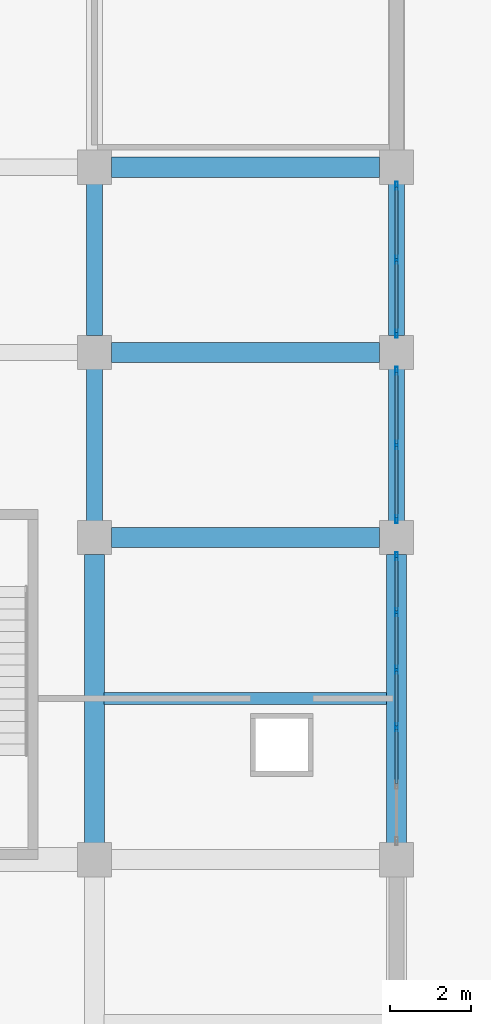
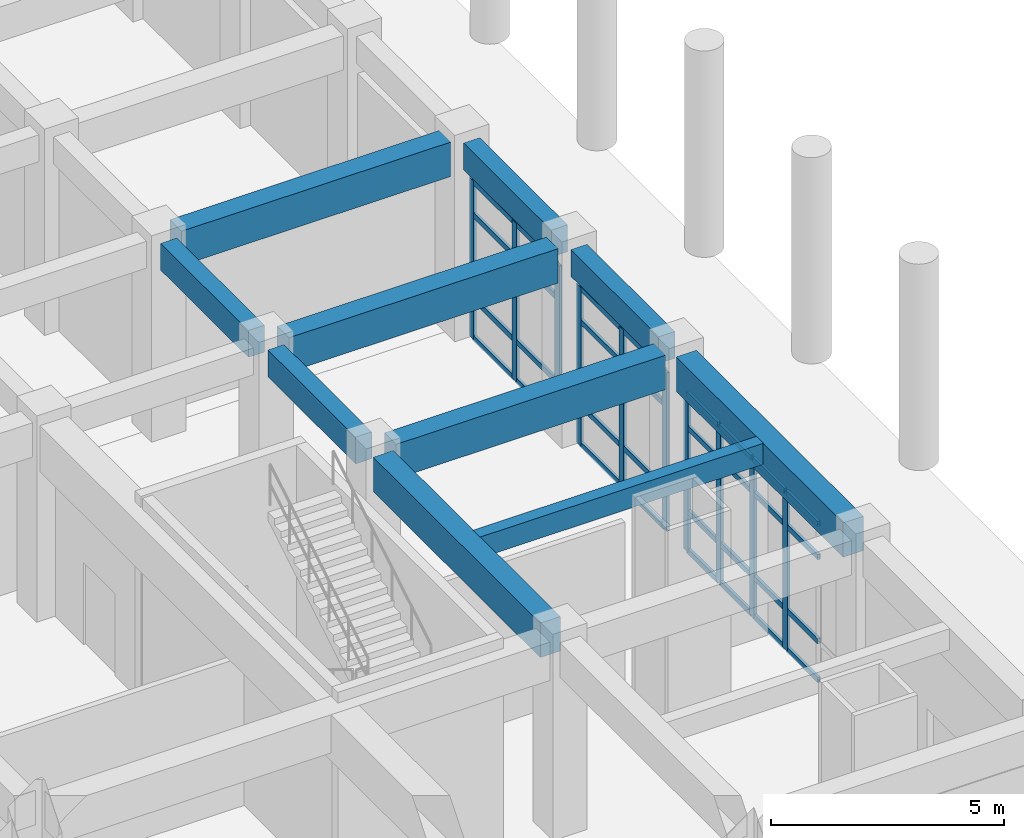
# One storey, part 38 of 84: 42 members, 10 beams, 3 elements without a shape of their own.
"""IFC4 building model written with IfcOpenShell, lengths in metres."""

from ifc_helpers import new_model, si_unit, direction, frame, origin, origin_2d, place, context, subcontext, project, spatial, rectangle, hollow_rectangle, extrude, material, layer, layer_set, material_profile, profile_set, type_object, element, aggregate, save


model = new_model("IFC4")

# Units and contexts
model_context = context("Model", 3, precision=1e-05, world=origin(), true_north=direction((0.0, 1.0)))
body_context = subcontext(model_context, "Body", "Model", "MODEL_VIEW")
ifc_project = project(units=[si_unit("LENGTHUNIT", "METRE"), si_unit("AREAUNIT", "SQUARE_METRE"), si_unit("VOLUMEUNIT", "CUBIC_METRE"), si_unit("PLANEANGLEUNIT", "RADIAN"), si_unit("MASSUNIT", "GRAM", prefix="KILO")], contexts=[model_context])

# Site, building, storey
site_placement = place(None, origin())
site = spatial("IfcSite", under=ifc_project, at=site_placement, CompositionType="ELEMENT")
building_placement = place(site_placement, origin())
building = spatial("IfcBuilding", under=site, at=building_placement, Name="Muzn Square Opera House", CompositionType="ELEMENT")
storey_placement = place(building_placement, origin())
storey = spatial("IfcBuildingStorey", under=building, at=storey_placement, Name="L00", CompositionType="ELEMENT", Elevation=0.0)

# Curtain wall, members
ifc_material_1 = material(Name="Low-E laminated acoustic double glazing", Category="glass")
ifc_layer_1 = layer(ifc_material_1, 0.159912109375, Name="Low-E laminated acoustic double glazing", Category="glass")
ifc_layer_set_1 = layer_set([ifc_layer_1], Name="Low-E laminated acoustic double glazing")
curtain_wall_type_1 = type_object("IfcCurtainWallType", Name="Glazed Curtain Wall EastBlvd 7150x4150", PredefinedType="USERDEFINED", material=ifc_layer_set_1)
curtain_wall_1_placement = place(storey_placement, origin())
curtain_wall_1 = element("IfcCurtainWall", 1, at=curtain_wall_1_placement, inside=storey, type_object=curtain_wall_type_1, Name="Glazed Curtain Wall CW-L00-105", ObjectType="GLAZED CURTAIN WALL", PredefinedType="USERDEFINED")
ifc_material_2 = material(Name="Anodised bronze aluminium 6063-T6", Category="metal")
ifc_material_profile_1 = material_profile(ifc_material_2, hollow_rectangle(XDim=0.070068359375, YDim=0.199951171875, WallThickness=0.0048828125, at=origin_2d()), Name="ALU 200x70x5", Category="metal")
ifc_profile_set_1 = profile_set([ifc_material_profile_1], Name="Anodised bronze aluminium 6063-T6")
member_type_1 = type_object("IfcMemberType", Name="Curtain Wall Mullion 200x70", PredefinedType="MULLION", material=ifc_profile_set_1)
member_1_placement = place(storey_placement, frame((170.0, 17.284912109375, 0.0), z_axis=(0.0, 0.0, 1.0), x_axis=(-1.0, 0.0, 0.0)))
member_1 = element("IfcMember", 2, at=member_1_placement, type_object=member_type_1, Name="CW-EBL-71x41 mullion 3", PredefinedType="MULLION", context=body_context, shape_type="SweptSolid", body=[
    extrude(hollow_rectangle(XDim=0.070068359375, YDim=0.199951171875, WallThickness=0.0048828125, at=origin_2d()), origin(), (0.0, 0.0, 1.0), 4.14990234375),
])
member_2_placement = place(storey_placement, frame((170.0, 18.715087890625, 0.0), z_axis=(0.0, 0.0, 1.0), x_axis=(-1.0, 0.0, 0.0)))
member_2 = element("IfcMember", 3, at=member_2_placement, type_object=member_type_1, Name="CW-EBL-71x41 mullion 4", PredefinedType="MULLION", context=body_context, shape_type="SweptSolid", body=[
    extrude(hollow_rectangle(XDim=0.070068359375, YDim=0.199951171875, WallThickness=0.0048828125, at=origin_2d()), origin(), (0.0, 0.0, 1.0), 4.14990234375),
])
member_3_placement = place(storey_placement, frame((170.0, 20.14501953125, 0.0), z_axis=(0.0, 0.0, 1.0), x_axis=(-1.0, 0.0, 0.0)))
member_3 = element("IfcMember", 4, at=member_3_placement, type_object=member_type_1, Name="CW-EBL-71x41 mullion 5", PredefinedType="MULLION", context=body_context, shape_type="SweptSolid", body=[
    extrude(hollow_rectangle(XDim=0.070068359375, YDim=0.199951171875, WallThickness=0.0048828125, at=origin_2d()), origin(), (0.0, 0.0, 1.0), 4.14990234375),
])
member_4_placement = place(storey_placement, frame((170.0, 21.5400390625, 0.0), z_axis=(0.0, 0.0, 1.0), x_axis=(-1.0, 0.0, 0.0)))
member_4 = element("IfcMember", 5, at=member_4_placement, type_object=member_type_1, Name="CW-EBL-71x41 mullion 6", PredefinedType="MULLION", context=body_context, shape_type="SweptSolid", body=[
    extrude(hollow_rectangle(XDim=0.070068359375, YDim=0.199951171875, WallThickness=0.0048828125, at=origin_2d()), origin(), (0.0, 0.0, 1.0), 4.14990234375),
])

ifc_layer_2 = layer(ifc_material_1, 0.159912109375, Name="Low-E laminated acoustic double glazing", Category="glass")
ifc_layer_set_2 = layer_set([ifc_layer_2], Name="Low-E laminated acoustic double glazing")
curtain_wall_type_2 = type_object("IfcCurtainWallType", Name="Glazed Curtain Wall EastBlvd 3750x4150", PredefinedType="USERDEFINED", material=ifc_layer_set_2)
curtain_wall_2_placement = place(storey_placement, origin())
curtain_wall_2 = element("IfcCurtainWall", 6, at=curtain_wall_2_placement, inside=storey, type_object=curtain_wall_type_2, Name="Glazed Curtain Wall CW-L00-106", ObjectType="GLAZED CURTAIN WALL", PredefinedType="USERDEFINED")
member_5_placement = place(storey_placement, frame((170.0, 22.4599609375, 0.0), z_axis=(0.0, 0.0, 1.0), x_axis=(-1.0, 0.0, 0.0)))
member_5 = element("IfcMember", 7, at=member_5_placement, type_object=member_type_1, Name="CW-EBL-37x41 mullion 1", PredefinedType="MULLION", context=body_context, shape_type="SweptSolid", body=[
    extrude(hollow_rectangle(XDim=0.070068359375, YDim=0.199951171875, WallThickness=0.0048828125, at=origin_2d()), origin(), (0.0, 0.0, 1.0), 4.14990234375),
])
member_6_placement = place(storey_placement, frame((170.0, 24.300048828125, 0.0), z_axis=(0.0, 0.0, 1.0), x_axis=(-1.0, 0.0, 0.0)))
member_6 = element("IfcMember", 8, at=member_6_placement, type_object=member_type_1, Name="CW-EBL-37x41 mullion 2", PredefinedType="MULLION", context=body_context, shape_type="SweptSolid", body=[
    extrude(hollow_rectangle(XDim=0.070068359375, YDim=0.199951171875, WallThickness=0.0048828125, at=origin_2d()), origin(), (0.0, 0.0, 1.0), 4.14990234375),
])
member_7_placement = place(storey_placement, frame((170.0, 26.139892578125, 0.0), z_axis=(0.0, 0.0, 1.0), x_axis=(-1.0, 0.0, 0.0)))
member_7 = element("IfcMember", 9, at=member_7_placement, type_object=member_type_1, Name="CW-EBL-37x41 mullion 3", PredefinedType="MULLION", context=body_context, shape_type="SweptSolid", body=[
    extrude(hollow_rectangle(XDim=0.070068359375, YDim=0.199951171875, WallThickness=0.0048828125, at=origin_2d()), origin(), (0.0, 0.0, 1.0), 4.14990234375),
])

curtain_wall_3_placement = place(storey_placement, origin())
curtain_wall_3 = element("IfcCurtainWall", 10, at=curtain_wall_3_placement, inside=storey, type_object=curtain_wall_type_2, Name="Glazed Curtain Wall CW-L00-107", ObjectType="GLAZED CURTAIN WALL", PredefinedType="USERDEFINED")
member_8_placement = place(storey_placement, frame((170.0, 27.06005859375, 0.0), z_axis=(0.0, 0.0, 1.0), x_axis=(-1.0, 0.0, 0.0)))
member_8 = element("IfcMember", 11, at=member_8_placement, type_object=member_type_1, Name="CW-EBL-37x41 mullion 1", PredefinedType="MULLION", context=body_context, shape_type="SweptSolid", body=[
    extrude(hollow_rectangle(XDim=0.070068359375, YDim=0.199951171875, WallThickness=0.0048828125, at=origin_2d()), origin(), (0.0, 0.0, 1.0), 4.14990234375),
])
member_9_placement = place(storey_placement, frame((170.0, 28.89990234375, 0.0), z_axis=(0.0, 0.0, 1.0), x_axis=(-1.0, 0.0, 0.0)))
member_9 = element("IfcMember", 12, at=member_9_placement, type_object=member_type_1, Name="CW-EBL-37x41 mullion 2", PredefinedType="MULLION", context=body_context, shape_type="SweptSolid", body=[
    extrude(hollow_rectangle(XDim=0.070068359375, YDim=0.199951171875, WallThickness=0.0048828125, at=origin_2d()), origin(), (0.0, 0.0, 1.0), 4.14990234375),
])
member_10_placement = place(storey_placement, frame((170.0, 30.739990234375, 0.0), z_axis=(0.0, 0.0, 1.0), x_axis=(-1.0, 0.0, 0.0)))
member_10 = element("IfcMember", 13, at=member_10_placement, type_object=member_type_1, Name="CW-EBL-37x41 mullion 3", PredefinedType="MULLION", context=body_context, shape_type="SweptSolid", body=[
    extrude(hollow_rectangle(XDim=0.070068359375, YDim=0.199951171875, WallThickness=0.0048828125, at=origin_2d()), origin(), (0.0, 0.0, 1.0), 4.14990234375),
])

# Member
ifc_material_profile_2 = material_profile(ifc_material_2, hollow_rectangle(XDim=0.070068359375, YDim=0.139892578125, WallThickness=0.00390625, at=origin_2d()), Name="ALU 140x70x4", Category="metal")
ifc_profile_set_2 = profile_set([ifc_material_profile_2], Name="Anodised bronze aluminium 6063-T6")
member_type_2 = type_object("IfcMemberType", Name="Curtain Wall Transom 140x70", PredefinedType="USERDEFINED", material=ifc_profile_set_2)
member_11_placement = place(storey_placement, frame((170.0, 15.889892578125, 0.034912109375), z_axis=(0.0, 1.0, 0.0), x_axis=(-1.0, 0.0, 0.0)))
member_11 = element("IfcMember", 14, at=member_11_placement, type_object=member_type_2, Name="CW-EBL-71x41 transom 2.1", ObjectType="TRANSOM", PredefinedType="USERDEFINED", context=body_context, shape_type="SweptSolid", body=[
    extrude(hollow_rectangle(XDim=0.070068359375, YDim=0.139892578125, WallThickness=0.00390625, at=origin_2d()), origin(), (0.0, 0.0, 1.0), 1.360107421875),
])

member_12_placement = place(storey_placement, frame((170.0, 15.889892578125, 1.050048828125), z_axis=(0.0, 1.0, 0.0), x_axis=(-1.0, 0.0, 0.0)))
member_12 = element("IfcMember", 15, at=member_12_placement, type_object=member_type_2, Name="CW-EBL-71x41 transom 2.2", ObjectType="TRANSOM", PredefinedType="USERDEFINED", context=body_context, shape_type="SweptSolid", body=[
    extrude(hollow_rectangle(XDim=0.070068359375, YDim=0.139892578125, WallThickness=0.00390625, at=origin_2d()), origin(), (0.0, 0.0, 1.0), 1.360107421875),
])

member_13_placement = place(storey_placement, frame((170.0, 15.889892578125, 3.25), z_axis=(0.0, 1.0, 0.0), x_axis=(-1.0, 0.0, 0.0)))
member_13 = element("IfcMember", 16, at=member_13_placement, type_object=member_type_2, Name="CW-EBL-71x41 transom 2.3", ObjectType="TRANSOM", PredefinedType="USERDEFINED", context=body_context, shape_type="SweptSolid", body=[
    extrude(hollow_rectangle(XDim=0.070068359375, YDim=0.139892578125, WallThickness=0.00390625, at=origin_2d()), origin(), (0.0, 0.0, 1.0), 1.360107421875),
])

member_14_placement = place(storey_placement, frame((170.0, 15.889892578125, 4.114990234375), z_axis=(0.0, 1.0, 0.0), x_axis=(-1.0, 0.0, 0.0)))
member_14 = element("IfcMember", 17, at=member_14_placement, type_object=member_type_2, Name="CW-EBL-71x41 transom 2.4", ObjectType="TRANSOM", PredefinedType="USERDEFINED", context=body_context, shape_type="SweptSolid", body=[
    extrude(hollow_rectangle(XDim=0.070068359375, YDim=0.139892578125, WallThickness=0.00390625, at=origin_2d()), origin(), (0.0, 0.0, 1.0), 1.360107421875),
])

member_15_placement = place(storey_placement, frame((170.0, 17.320068359375, 0.034912109375), z_axis=(0.0, 1.0, 0.0), x_axis=(-1.0, 0.0, 0.0)))
member_15 = element("IfcMember", 18, at=member_15_placement, type_object=member_type_2, Name="CW-EBL-71x41 transom 3.1", ObjectType="TRANSOM", PredefinedType="USERDEFINED", context=body_context, shape_type="SweptSolid", body=[
    extrude(hollow_rectangle(XDim=0.070068359375, YDim=0.139892578125, WallThickness=0.00390625, at=origin_2d()), origin(), (0.0, 0.0, 1.0), 1.35986328125),
])

member_16_placement = place(storey_placement, frame((170.0, 17.320068359375, 1.050048828125), z_axis=(0.0, 1.0, 0.0), x_axis=(-1.0, 0.0, 0.0)))
member_16 = element("IfcMember", 19, at=member_16_placement, type_object=member_type_2, Name="CW-EBL-71x41 transom 3.2", ObjectType="TRANSOM", PredefinedType="USERDEFINED", context=body_context, shape_type="SweptSolid", body=[
    extrude(hollow_rectangle(XDim=0.070068359375, YDim=0.139892578125, WallThickness=0.00390625, at=origin_2d()), origin(), (0.0, 0.0, 1.0), 1.35986328125),
])

member_17_placement = place(storey_placement, frame((170.0, 17.320068359375, 3.25), z_axis=(0.0, 1.0, 0.0), x_axis=(-1.0, 0.0, 0.0)))
member_17 = element("IfcMember", 20, at=member_17_placement, type_object=member_type_2, Name="CW-EBL-71x41 transom 3.3", ObjectType="TRANSOM", PredefinedType="USERDEFINED", context=body_context, shape_type="SweptSolid", body=[
    extrude(hollow_rectangle(XDim=0.070068359375, YDim=0.139892578125, WallThickness=0.00390625, at=origin_2d()), origin(), (0.0, 0.0, 1.0), 1.35986328125),
])

member_18_placement = place(storey_placement, frame((170.0, 17.320068359375, 4.114990234375), z_axis=(0.0, 1.0, 0.0), x_axis=(-1.0, 0.0, 0.0)))
member_18 = element("IfcMember", 21, at=member_18_placement, type_object=member_type_2, Name="CW-EBL-71x41 transom 3.4", ObjectType="TRANSOM", PredefinedType="USERDEFINED", context=body_context, shape_type="SweptSolid", body=[
    extrude(hollow_rectangle(XDim=0.070068359375, YDim=0.139892578125, WallThickness=0.00390625, at=origin_2d()), origin(), (0.0, 0.0, 1.0), 1.35986328125),
])

member_19_placement = place(storey_placement, frame((170.0, 18.75, 0.034912109375), z_axis=(0.0, 1.0, 0.0), x_axis=(-1.0, 0.0, 0.0)))
member_19 = element("IfcMember", 22, at=member_19_placement, type_object=member_type_2, Name="CW-EBL-71x41 transom 4.1", ObjectType="TRANSOM", PredefinedType="USERDEFINED", context=body_context, shape_type="SweptSolid", body=[
    extrude(hollow_rectangle(XDim=0.070068359375, YDim=0.139892578125, WallThickness=0.00390625, at=origin_2d()), origin(), (0.0, 0.0, 1.0), 1.360107421875),
])

member_20_placement = place(storey_placement, frame((170.0, 18.75, 1.050048828125), z_axis=(0.0, 1.0, 0.0), x_axis=(-1.0, 0.0, 0.0)))
member_20 = element("IfcMember", 23, at=member_20_placement, type_object=member_type_2, Name="CW-EBL-71x41 transom 4.2", ObjectType="TRANSOM", PredefinedType="USERDEFINED", context=body_context, shape_type="SweptSolid", body=[
    extrude(hollow_rectangle(XDim=0.070068359375, YDim=0.139892578125, WallThickness=0.00390625, at=origin_2d()), origin(), (0.0, 0.0, 1.0), 1.360107421875),
])

member_21_placement = place(storey_placement, frame((170.0, 18.75, 3.25), z_axis=(0.0, 1.0, 0.0), x_axis=(-1.0, 0.0, 0.0)))
member_21 = element("IfcMember", 24, at=member_21_placement, type_object=member_type_2, Name="CW-EBL-71x41 transom 4.3", ObjectType="TRANSOM", PredefinedType="USERDEFINED", context=body_context, shape_type="SweptSolid", body=[
    extrude(hollow_rectangle(XDim=0.070068359375, YDim=0.139892578125, WallThickness=0.00390625, at=origin_2d()), origin(), (0.0, 0.0, 1.0), 1.360107421875),
])

member_22_placement = place(storey_placement, frame((170.0, 18.75, 4.114990234375), z_axis=(0.0, 1.0, 0.0), x_axis=(-1.0, 0.0, 0.0)))
member_22 = element("IfcMember", 25, at=member_22_placement, type_object=member_type_2, Name="CW-EBL-71x41 transom 4.4", ObjectType="TRANSOM", PredefinedType="USERDEFINED", context=body_context, shape_type="SweptSolid", body=[
    extrude(hollow_rectangle(XDim=0.070068359375, YDim=0.139892578125, WallThickness=0.00390625, at=origin_2d()), origin(), (0.0, 0.0, 1.0), 1.360107421875),
])

member_23_placement = place(storey_placement, frame((170.0, 20.179931640625, 0.034912109375), z_axis=(0.0, 1.0, 0.0), x_axis=(-1.0, 0.0, 0.0)))
member_23 = element("IfcMember", 26, at=member_23_placement, type_object=member_type_2, Name="CW-EBL-71x41 transom 5.1", ObjectType="TRANSOM", PredefinedType="USERDEFINED", context=body_context, shape_type="SweptSolid", body=[
    extrude(hollow_rectangle(XDim=0.070068359375, YDim=0.139892578125, WallThickness=0.00390625, at=origin_2d()), origin(), (0.0, 0.0, 1.0), 1.324951171875),
])

member_24_placement = place(storey_placement, frame((170.0, 20.179931640625, 1.050048828125), z_axis=(0.0, 1.0, 0.0), x_axis=(-1.0, 0.0, 0.0)))
member_24 = element("IfcMember", 27, at=member_24_placement, type_object=member_type_2, Name="CW-EBL-71x41 transom 5.2", ObjectType="TRANSOM", PredefinedType="USERDEFINED", context=body_context, shape_type="SweptSolid", body=[
    extrude(hollow_rectangle(XDim=0.070068359375, YDim=0.139892578125, WallThickness=0.00390625, at=origin_2d()), origin(), (0.0, 0.0, 1.0), 1.324951171875),
])

member_25_placement = place(storey_placement, frame((170.0, 20.179931640625, 3.25), z_axis=(0.0, 1.0, 0.0), x_axis=(-1.0, 0.0, 0.0)))
member_25 = element("IfcMember", 28, at=member_25_placement, type_object=member_type_2, Name="CW-EBL-71x41 transom 5.3", ObjectType="TRANSOM", PredefinedType="USERDEFINED", context=body_context, shape_type="SweptSolid", body=[
    extrude(hollow_rectangle(XDim=0.070068359375, YDim=0.139892578125, WallThickness=0.00390625, at=origin_2d()), origin(), (0.0, 0.0, 1.0), 1.324951171875),
])

member_26_placement = place(storey_placement, frame((170.0, 20.179931640625, 4.114990234375), z_axis=(0.0, 1.0, 0.0), x_axis=(-1.0, 0.0, 0.0)))
member_26 = element("IfcMember", 29, at=member_26_placement, type_object=member_type_2, Name="CW-EBL-71x41 transom 5.4", ObjectType="TRANSOM", PredefinedType="USERDEFINED", context=body_context, shape_type="SweptSolid", body=[
    extrude(hollow_rectangle(XDim=0.070068359375, YDim=0.139892578125, WallThickness=0.00390625, at=origin_2d()), origin(), (0.0, 0.0, 1.0), 1.324951171875),
])

aggregate(curtain_wall_1, [member_1, member_2, member_3, member_4, member_11, member_12, member_13, member_14, member_15, member_16, member_17, member_18, member_19, member_20, member_21, member_22, member_23, member_24, member_25, member_26])

member_27_placement = place(storey_placement, frame((170.0, 22.4951171875, 0.034912109375), z_axis=(0.0, 1.0, 0.0), x_axis=(-1.0, 0.0, 0.0)))
member_27 = element("IfcMember", 30, at=member_27_placement, type_object=member_type_2, Name="CW-EBL-37x41 transom 1.1", ObjectType="TRANSOM", PredefinedType="USERDEFINED", context=body_context, shape_type="SweptSolid", body=[
    extrude(hollow_rectangle(XDim=0.070068359375, YDim=0.139892578125, WallThickness=0.00390625, at=origin_2d()), origin(), (0.0, 0.0, 1.0), 1.769775390625),
])

member_28_placement = place(storey_placement, frame((170.0, 22.4951171875, 1.050048828125), z_axis=(0.0, 1.0, 0.0), x_axis=(-1.0, 0.0, 0.0)))
member_28 = element("IfcMember", 31, at=member_28_placement, type_object=member_type_2, Name="CW-EBL-37x41 transom 1.2", ObjectType="TRANSOM", PredefinedType="USERDEFINED", context=body_context, shape_type="SweptSolid", body=[
    extrude(hollow_rectangle(XDim=0.070068359375, YDim=0.139892578125, WallThickness=0.00390625, at=origin_2d()), origin(), (0.0, 0.0, 1.0), 1.769775390625),
])

member_29_placement = place(storey_placement, frame((170.0, 22.4951171875, 3.25), z_axis=(0.0, 1.0, 0.0), x_axis=(-1.0, 0.0, 0.0)))
member_29 = element("IfcMember", 32, at=member_29_placement, type_object=member_type_2, Name="CW-EBL-37x41 transom 1.3", ObjectType="TRANSOM", PredefinedType="USERDEFINED", context=body_context, shape_type="SweptSolid", body=[
    extrude(hollow_rectangle(XDim=0.070068359375, YDim=0.139892578125, WallThickness=0.00390625, at=origin_2d()), origin(), (0.0, 0.0, 1.0), 1.769775390625),
])

member_30_placement = place(storey_placement, frame((170.0, 22.4951171875, 4.114990234375), z_axis=(0.0, 1.0, 0.0), x_axis=(-1.0, 0.0, 0.0)))
member_30 = element("IfcMember", 33, at=member_30_placement, type_object=member_type_2, Name="CW-EBL-37x41 transom 1.4", ObjectType="TRANSOM", PredefinedType="USERDEFINED", context=body_context, shape_type="SweptSolid", body=[
    extrude(hollow_rectangle(XDim=0.070068359375, YDim=0.139892578125, WallThickness=0.00390625, at=origin_2d()), origin(), (0.0, 0.0, 1.0), 1.769775390625),
])

member_31_placement = place(storey_placement, frame((170.0, 24.3349609375, 0.034912109375), z_axis=(0.0, 1.0, 0.0), x_axis=(-1.0, 0.0, 0.0)))
member_31 = element("IfcMember", 34, at=member_31_placement, type_object=member_type_2, Name="CW-EBL-37x41 transom 2.1", ObjectType="TRANSOM", PredefinedType="USERDEFINED", context=body_context, shape_type="SweptSolid", body=[
    extrude(hollow_rectangle(XDim=0.070068359375, YDim=0.139892578125, WallThickness=0.00390625, at=origin_2d()), origin(), (0.0, 0.0, 1.0), 1.77001953125),
])

member_32_placement = place(storey_placement, frame((170.0, 24.3349609375, 1.050048828125), z_axis=(0.0, 1.0, 0.0), x_axis=(-1.0, 0.0, 0.0)))
member_32 = element("IfcMember", 35, at=member_32_placement, type_object=member_type_2, Name="CW-EBL-37x41 transom 2.2", ObjectType="TRANSOM", PredefinedType="USERDEFINED", context=body_context, shape_type="SweptSolid", body=[
    extrude(hollow_rectangle(XDim=0.070068359375, YDim=0.139892578125, WallThickness=0.00390625, at=origin_2d()), origin(), (0.0, 0.0, 1.0), 1.77001953125),
])

member_33_placement = place(storey_placement, frame((170.0, 24.3349609375, 3.25), z_axis=(0.0, 1.0, 0.0), x_axis=(-1.0, 0.0, 0.0)))
member_33 = element("IfcMember", 36, at=member_33_placement, type_object=member_type_2, Name="CW-EBL-37x41 transom 2.3", ObjectType="TRANSOM", PredefinedType="USERDEFINED", context=body_context, shape_type="SweptSolid", body=[
    extrude(hollow_rectangle(XDim=0.070068359375, YDim=0.139892578125, WallThickness=0.00390625, at=origin_2d()), origin(), (0.0, 0.0, 1.0), 1.77001953125),
])

member_34_placement = place(storey_placement, frame((170.0, 24.3349609375, 4.114990234375), z_axis=(0.0, 1.0, 0.0), x_axis=(-1.0, 0.0, 0.0)))
member_34 = element("IfcMember", 37, at=member_34_placement, type_object=member_type_2, Name="CW-EBL-37x41 transom 2.4", ObjectType="TRANSOM", PredefinedType="USERDEFINED", context=body_context, shape_type="SweptSolid", body=[
    extrude(hollow_rectangle(XDim=0.070068359375, YDim=0.139892578125, WallThickness=0.00390625, at=origin_2d()), origin(), (0.0, 0.0, 1.0), 1.77001953125),
])

aggregate(curtain_wall_2, [member_5, member_6, member_7, member_27, member_28, member_29, member_30, member_31, member_32, member_33, member_34])

member_35_placement = place(storey_placement, frame((170.0, 27.094970703125, 0.034912109375), z_axis=(0.0, 1.0, 0.0), x_axis=(-1.0, 0.0, 0.0)))
member_35 = element("IfcMember", 38, at=member_35_placement, type_object=member_type_2, Name="CW-EBL-37x41 transom 1.1", ObjectType="TRANSOM", PredefinedType="USERDEFINED", context=body_context, shape_type="SweptSolid", body=[
    extrude(hollow_rectangle(XDim=0.070068359375, YDim=0.139892578125, WallThickness=0.00390625, at=origin_2d()), origin(), (0.0, 0.0, 1.0), 1.77001953125),
])

member_36_placement = place(storey_placement, frame((170.0, 27.094970703125, 1.050048828125), z_axis=(0.0, 1.0, 0.0), x_axis=(-1.0, 0.0, 0.0)))
member_36 = element("IfcMember", 39, at=member_36_placement, type_object=member_type_2, Name="CW-EBL-37x41 transom 1.2", ObjectType="TRANSOM", PredefinedType="USERDEFINED", context=body_context, shape_type="SweptSolid", body=[
    extrude(hollow_rectangle(XDim=0.070068359375, YDim=0.139892578125, WallThickness=0.00390625, at=origin_2d()), origin(), (0.0, 0.0, 1.0), 1.77001953125),
])

member_37_placement = place(storey_placement, frame((170.0, 27.094970703125, 3.25), z_axis=(0.0, 1.0, 0.0), x_axis=(-1.0, 0.0, 0.0)))
member_37 = element("IfcMember", 40, at=member_37_placement, type_object=member_type_2, Name="CW-EBL-37x41 transom 1.3", ObjectType="TRANSOM", PredefinedType="USERDEFINED", context=body_context, shape_type="SweptSolid", body=[
    extrude(hollow_rectangle(XDim=0.070068359375, YDim=0.139892578125, WallThickness=0.00390625, at=origin_2d()), origin(), (0.0, 0.0, 1.0), 1.77001953125),
])

member_38_placement = place(storey_placement, frame((170.0, 27.094970703125, 4.114990234375), z_axis=(0.0, 1.0, 0.0), x_axis=(-1.0, 0.0, 0.0)))
member_38 = element("IfcMember", 41, at=member_38_placement, type_object=member_type_2, Name="CW-EBL-37x41 transom 1.4", ObjectType="TRANSOM", PredefinedType="USERDEFINED", context=body_context, shape_type="SweptSolid", body=[
    extrude(hollow_rectangle(XDim=0.070068359375, YDim=0.139892578125, WallThickness=0.00390625, at=origin_2d()), origin(), (0.0, 0.0, 1.0), 1.77001953125),
])

member_39_placement = place(storey_placement, frame((170.0, 28.93505859375, 0.034912109375), z_axis=(0.0, 1.0, 0.0), x_axis=(-1.0, 0.0, 0.0)))
member_39 = element("IfcMember", 42, at=member_39_placement, type_object=member_type_2, Name="CW-EBL-37x41 transom 2.1", ObjectType="TRANSOM", PredefinedType="USERDEFINED", context=body_context, shape_type="SweptSolid", body=[
    extrude(hollow_rectangle(XDim=0.070068359375, YDim=0.139892578125, WallThickness=0.00390625, at=origin_2d()), origin(), (0.0, 0.0, 1.0), 1.77001953125),
])

member_40_placement = place(storey_placement, frame((170.0, 28.93505859375, 1.050048828125), z_axis=(0.0, 1.0, 0.0), x_axis=(-1.0, 0.0, 0.0)))
member_40 = element("IfcMember", 43, at=member_40_placement, type_object=member_type_2, Name="CW-EBL-37x41 transom 2.2", ObjectType="TRANSOM", PredefinedType="USERDEFINED", context=body_context, shape_type="SweptSolid", body=[
    extrude(hollow_rectangle(XDim=0.070068359375, YDim=0.139892578125, WallThickness=0.00390625, at=origin_2d()), origin(), (0.0, 0.0, 1.0), 1.77001953125),
])

member_41_placement = place(storey_placement, frame((170.0, 28.93505859375, 3.25), z_axis=(0.0, 1.0, 0.0), x_axis=(-1.0, 0.0, 0.0)))
member_41 = element("IfcMember", 44, at=member_41_placement, type_object=member_type_2, Name="CW-EBL-37x41 transom 2.3", ObjectType="TRANSOM", PredefinedType="USERDEFINED", context=body_context, shape_type="SweptSolid", body=[
    extrude(hollow_rectangle(XDim=0.070068359375, YDim=0.139892578125, WallThickness=0.00390625, at=origin_2d()), origin(), (0.0, 0.0, 1.0), 1.77001953125),
])

member_42_placement = place(storey_placement, frame((170.0, 28.93505859375, 4.114990234375), z_axis=(0.0, 1.0, 0.0), x_axis=(-1.0, 0.0, 0.0)))
member_42 = element("IfcMember", 45, at=member_42_placement, type_object=member_type_2, Name="CW-EBL-37x41 transom 2.4", ObjectType="TRANSOM", PredefinedType="USERDEFINED", context=body_context, shape_type="SweptSolid", body=[
    extrude(hollow_rectangle(XDim=0.070068359375, YDim=0.139892578125, WallThickness=0.00390625, at=origin_2d()), origin(), (0.0, 0.0, 1.0), 1.77001953125),
])

aggregate(curtain_wall_3, [member_8, member_9, member_10, member_35, member_36, member_37, member_38, member_39, member_40, member_41, member_42])

# Beams
ifc_material_3 = material(Name="Concrete C40/50", Category="concrete")
ifc_material_profile_3 = material_profile(ifc_material_3, rectangle(XDim=0.300048828125, YDim=0.550048828125, at=origin_2d()), Name="RCJ 300x550", Category="concrete")
ifc_profile_set_3 = profile_set([ifc_material_profile_3], Name="Concrete C40/50")
beam_type_1 = type_object("IfcBeamType", Name="Floor Joist 300x550", PredefinedType="JOIST", material=ifc_profile_set_3)
beam_1_placement = place(storey_placement, frame((162.741943359375, 18.0, 4.844970703125), z_axis=(1.0, 0.0, 0.0), x_axis=(0.0, 1.0, 0.0)))
element("IfcBeam", 46, at=beam_1_placement, inside=storey, type_object=beam_type_1, Name="Floor Joist BM-L00-BM-J550-1627_180_1698_180-1234", PredefinedType="JOIST", context=body_context, shape_type="SweptSolid", body=[
    extrude(rectangle(XDim=0.300048828125, YDim=0.550048828125, at=origin_2d()), origin(), (0.0, 0.0, 1.0), 7.01611328125),
])
ifc_material_profile_4 = material_profile(ifc_material_3, rectangle(XDim=0.39990234375, YDim=0.699951171875, at=origin_2d()), Name="RCB 400x700", Category="concrete")
ifc_profile_set_4 = profile_set([ifc_material_profile_4], Name="Concrete C40/50")
beam_type_2 = type_object("IfcBeamType", Name="Primary Girder 400x700", PredefinedType="BEAM", material=ifc_profile_set_4)
beam_2_placement = place(storey_placement, frame((162.5, 22.4169921875, 4.77001953125), z_axis=(0.0, 1.0, 0.0), x_axis=(-1.0, 0.0, 0.0)))
element("IfcBeam", 47, at=beam_2_placement, inside=storey, type_object=beam_type_2, Name="Primary Girder BM-L00-BM-PG700-1625_224_1625_262-1154", PredefinedType="BEAM", context=body_context, shape_type="SweptSolid", body=[
    extrude(rectangle(XDim=0.39990234375, YDim=0.699951171875, at=origin_2d()), origin(), (0.0, 0.0, 1.0), 3.76611328125),
])
beam_3_placement = place(storey_placement, frame((162.5, 27.01708984375, 4.77001953125), z_axis=(0.0, 1.0, 0.0), x_axis=(-1.0, 0.0, 0.0)))
element("IfcBeam", 48, at=beam_3_placement, inside=storey, type_object=beam_type_2, Name="Primary Girder BM-L00-BM-PG700-1625_270_1625_308-1155", PredefinedType="BEAM", context=body_context, shape_type="SweptSolid", body=[
    extrude(rectangle(XDim=0.39990234375, YDim=0.699951171875, at=origin_2d()), origin(), (0.0, 0.0, 1.0), 3.765869140625),
])
beam_4_placement = place(storey_placement, frame((170.0, 22.4169921875, 4.77001953125), z_axis=(0.0, 1.0, 0.0), x_axis=(-1.0, 0.0, 0.0)))
element("IfcBeam", 49, at=beam_4_placement, inside=storey, type_object=beam_type_2, Name="Primary Girder BM-L00-BM-PG700-1700_224_1700_262-1168", PredefinedType="BEAM", context=body_context, shape_type="SweptSolid", body=[
    extrude(rectangle(XDim=0.39990234375, YDim=0.699951171875, at=origin_2d()), origin(), (0.0, 0.0, 1.0), 3.76611328125),
])
beam_5_placement = place(storey_placement, frame((170.0, 27.01708984375, 4.77001953125), z_axis=(0.0, 1.0, 0.0), x_axis=(-1.0, 0.0, 0.0)))
element("IfcBeam", 50, at=beam_5_placement, inside=storey, type_object=beam_type_2, Name="Primary Girder BM-L00-BM-PG700-1700_270_1700_308-1169", PredefinedType="BEAM", context=body_context, shape_type="SweptSolid", body=[
    extrude(rectangle(XDim=0.39990234375, YDim=0.699951171875, at=origin_2d()), origin(), (0.0, 0.0, 1.0), 3.765869140625),
])
ifc_material_profile_5 = material_profile(ifc_material_3, rectangle(XDim=0.5, YDim=0.89990234375, at=origin_2d()), Name="RCB 500x900", Category="concrete")
ifc_profile_set_5 = profile_set([ifc_material_profile_5], Name="Concrete C40/50")
beam_type_3 = type_object("IfcBeamType", Name="Primary Girder 500x900", PredefinedType="BEAM", material=ifc_profile_set_5)
for number, where, z_axis, x_axis, name in (
    (51, (162.9169921875, 22.0, 4.669921875), (1.0, 0.0, 0.0), (0.0, 1.0, 0.0), "Primary Girder BM-L00-BM-PG900-1629_220_1696_220-773"),
    (52, (162.9169921875, 26.60009765625, 4.669921875), (1.0, 0.0, 0.0), (0.0, 1.0, 0.0), "Primary Girder BM-L00-BM-PG900-1629_266_1696_266-788"),
    (53, (162.9169921875, 31.199951171875, 4.669921875), (1.0, 0.0, 0.0), (0.0, 1.0, 0.0), "Primary Girder BM-L00-BM-PG900-1629_312_1696_312-807"),
):
    element("IfcBeam", number, at=place(storey_placement, frame(where, z_axis=z_axis, x_axis=x_axis)), inside=storey, type_object=beam_type_3, Name=name, PredefinedType="BEAM", context=body_context, shape_type="SweptSolid", body=[
        extrude(rectangle(XDim=0.5, YDim=0.89990234375, at=origin_2d()), origin(), (0.0, 0.0, 1.0), 6.666015625),
    ])
for number, where, z_axis, x_axis, name in (
    (54, (162.5, 14.4169921875, 4.669921875), (0.0, 1.0, 0.0), (-1.0, 0.0, 0.0), "Primary Girder BM-L00-BM-PG900-1625_144_1625_216-1153"),
    (55, (170.0, 14.4169921875, 4.669921875), (0.0, 1.0, 0.0), (-1.0, 0.0, 0.0), "Primary Girder BM-L00-BM-PG900-1700_144_1700_216-1167"),
):
    element("IfcBeam", number, at=place(storey_placement, frame(where, z_axis=z_axis, x_axis=x_axis)), inside=storey, type_object=beam_type_3, Name=name, PredefinedType="BEAM", context=body_context, shape_type="SweptSolid", body=[
        extrude(rectangle(XDim=0.5, YDim=0.89990234375, at=origin_2d()), origin(), (0.0, 0.0, 1.0), 7.166015625),
    ])

save(model, "model.ifc")
